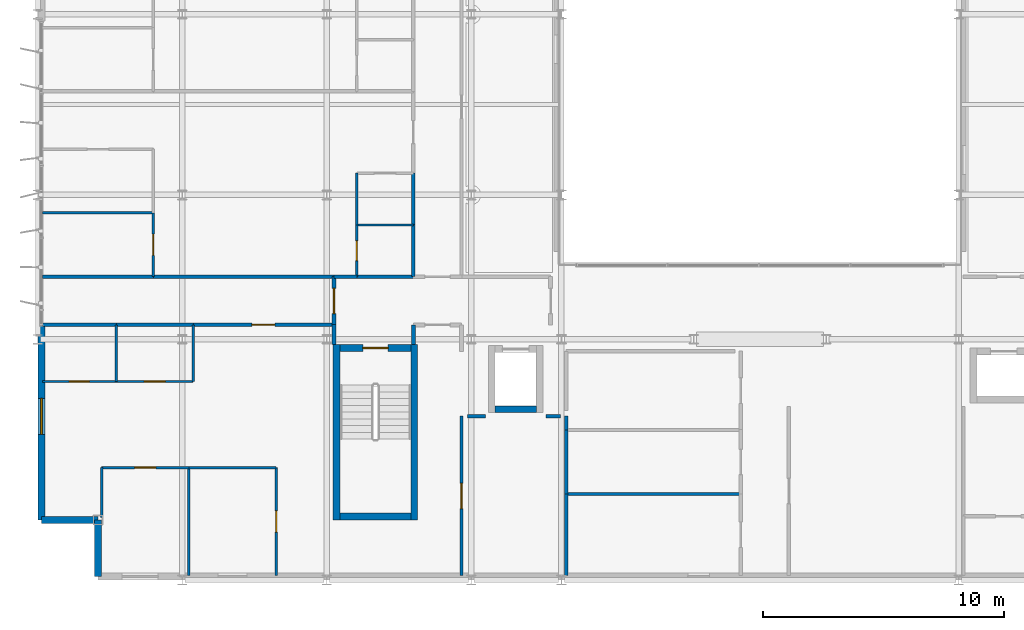
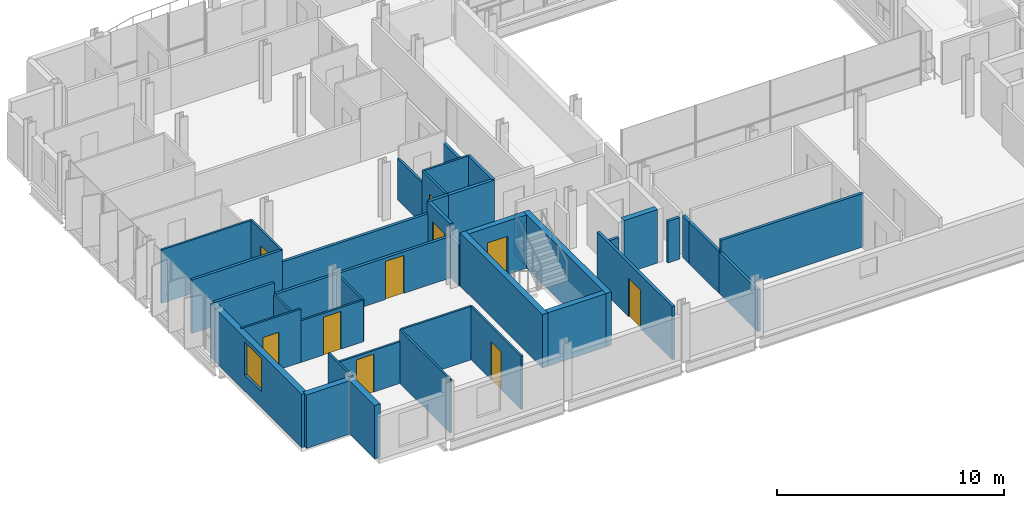
# One storey, part 29 of 38: 41 walls, 10 doors, 1 window, 11 openings.
"""IFC4 building model written with IfcOpenShell, lengths in metres."""

import ifcopenshell
import ifcopenshell.guid

model = None  # the IFC model being written
_history = None  # IfcOwnerHistory: only IFC2X3 demands one
_inside = {}  # id of a spatial element -> (the spatial element, [elements in it])
_under = {}  # id of a project, library or spatial element -> (it, [spatial elements below it])
_declared = {}  # id of a project -> (the project, [libraries it declares])
_typed = {}  # id of a type object -> (the type object, [elements of that type])
_made_of = {}  # id of a material, layer set ... -> (it, [elements and type objects made of it])


def new_model(schema):
    """Start an empty IFC model of exactly this schema.

    Asked for "IFC4X3", IfcOpenShell would pick the latest addendum, in which some entities
    have other attributes; the version numbers below select the first issue.
    IFC2X3 requires an IfcOwnerHistory on every rooted entity: one is made here for all.
    """
    global model, _history
    if schema == "IFC4X3":
        model = ifcopenshell.file(schema_version=(4, 3, 0, 0))
    else:
        model = ifcopenshell.file(schema=schema)
    _inside.clear()
    _under.clear()
    _declared.clear()
    _typed.clear()
    _made_of.clear()
    _history = None
    if model.schema == "IFC2X3":
        org = make("IfcOrganization", Name="unknown")
        user = make(
            "IfcPersonAndOrganization",
            ThePerson=make("IfcPerson", FamilyName="unknown"),
            TheOrganization=org,
        )
        app = make(
            "IfcApplication",
            ApplicationDeveloper=org,
            Version="unknown",
            ApplicationFullName="unknown",
            ApplicationIdentifier="unknown",
        )
        _history = make(
            "IfcOwnerHistory",
            OwningUser=user,
            OwningApplication=app,
            ChangeAction="ADDED",
            CreationDate=0,
        )
    return model


def make(cls, **values):
    """One entity of the class cls with the attributes given. An attribute that is None is left unset."""
    return model.create_entity(
        cls, **{name: value for name, value in values.items() if value is not None}
    )


def rooted(cls, **values):
    """An entity with a GlobalId (a new one), such as an element, a storey or a relation."""
    return make(cls, GlobalId=ifcopenshell.guid.new(), OwnerHistory=_history, **values)


def si_unit(unit_type, name, prefix=None):
    """IfcSIUnit, for example si_unit("LENGTHUNIT", "METRE", prefix="MILLI")."""
    return make("IfcSIUnit", UnitType=unit_type, Prefix=prefix, Name=name)


def assignment(units):
    """IfcUnitAssignment: the units of a project."""
    return None if units is None else make("IfcUnitAssignment", Units=units)


def point(xyz):
    """IfcCartesianPoint."""
    return None if xyz is None else make("IfcCartesianPoint", Coordinates=xyz)


def direction(xyz):
    """IfcDirection."""
    return None if xyz is None else make("IfcDirection", DirectionRatios=xyz)


def frame(location, z_axis=None, x_axis=None):
    """IfcAxis2Placement3D, a coordinate frame: its origin and axes. An axis left out is left unset."""
    return make(
        "IfcAxis2Placement3D",
        Location=point(location),
        Axis=direction(z_axis),
        RefDirection=direction(x_axis),
    )


def frame_2d(location, x_axis=None):
    """IfcAxis2Placement2D, a coordinate frame in the plane: its origin and x axis."""
    return make(
        "IfcAxis2Placement2D", Location=point(location), RefDirection=direction(x_axis)
    )


def origin():
    """The frame at (0, 0, 0) with its axes left unset."""
    return frame((0.0, 0.0, 0.0))


def place(relative_to, where):
    """IfcLocalPlacement: puts the frame where relative to a parent placement (None: the world)."""
    return make(
        "IfcLocalPlacement", PlacementRelTo=relative_to, RelativePlacement=where
    )


def context(
    kind, dimensions, precision=None, world=None, true_north=None, identifier=None
):
    """IfcGeometricRepresentationContext, for example the 3D "Model" context."""
    return make(
        "IfcGeometricRepresentationContext",
        ContextIdentifier=identifier,
        ContextType=kind,
        CoordinateSpaceDimension=dimensions,
        Precision=precision,
        WorldCoordinateSystem=world,
        TrueNorth=true_north,
    )


def subcontext(parent, identifier, kind, view, scale=None):
    """IfcGeometricRepresentationSubContext, for example "Body" below "Model"."""
    return make(
        "IfcGeometricRepresentationSubContext",
        ContextIdentifier=identifier,
        ContextType=kind,
        ParentContext=parent,
        TargetScale=scale,
        TargetView=view,
    )


def project(units=None, contexts=None):
    """IfcProject with its units and contexts."""
    return rooted(
        "IfcProject",
        Name="project",
        RepresentationContexts=contexts,
        UnitsInContext=assignment(units),
    )


def spatial(cls, under=None, at=None, **own):
    """A site, building, storey or space (cls), placed at a placement, below another one or the project."""
    s = rooted(cls, ObjectPlacement=at, **own)
    if under is not None:
        _under.setdefault(under.id(), (under, []))[1].append(s)
    return s


def profile(cls, at=None, kind="AREA", **sizes):
    """A parametric profile (cls). Its sizes go by their IFC names, for example OverallWidth=200.0."""
    return make(cls, ProfileType=kind, Position=at, **sizes)


def rectangle(**sizes):
    """IfcRectangleProfileDef."""
    return profile("IfcRectangleProfileDef", **sizes)


def extrude(swept, where, along, depth):
    """IfcExtrudedAreaSolid: the profile swept, set in the frame where, extruded along a direction by depth."""
    return make(
        "IfcExtrudedAreaSolid",
        SweptArea=swept,
        Position=where,
        ExtrudedDirection=direction(along),
        Depth=depth,
    )


def shape(context_of_items, identifier, shape_type, items):
    """IfcShapeRepresentation: the items that make up one representation, for example the "Body"."""
    return make(
        "IfcShapeRepresentation",
        ContextOfItems=context_of_items,
        RepresentationIdentifier=identifier,
        RepresentationType=shape_type,
        Items=items,
    )


def material(Name=None, Category=None):
    """IfcMaterial."""
    return make("IfcMaterial", Name=Name, Category=Category)


def layer(
    of_material, thickness, ventilated=None, Name=None, Category=None, Priority=None
):
    """IfcMaterialLayer: one layer of a wall or slab, of a material (None: an air gap)."""
    return make(
        "IfcMaterialLayer",
        Material=of_material,
        LayerThickness=thickness,
        IsVentilated=ventilated,
        Name=Name,
        Category=Category,
        Priority=Priority,
    )


def layer_set(layers, Name=None):
    """IfcMaterialLayerSet."""
    return make("IfcMaterialLayerSet", MaterialLayers=layers, LayerSetName=Name)


def made_of(thing, what):
    """Note that an element or type object is made of a material, layer set ...; save() writes the relation."""
    if what is not None:
        _made_of.setdefault(what.id(), (what, []))[1].append(thing)
    return thing


def type_object(cls, material=None, **own):
    """A type object (cls), such as IfcWallType, which elements share."""
    return made_of(rooted(cls, **own), material)


def element(
    cls,
    number,
    at=None,
    inside=None,
    cuts=None,
    type_object=None,
    material=None,
    context=None,
    identifier="Body",
    shape_type=None,
    held_by="IfcProductDefinitionShape",
    body=None,
    shapes=None,
    **own,
):
    """One element of the class cls, such as IfcWall. Its Tag is "e" and its number.

    at: its placement. inside: the storey or other place that contains it. cuts: it is an
    opening in that element (IfcRelVoidsElement). A single representation is given by context,
    identifier, shape_type and body (its items); several are given by shapes. held_by: the class
    of the entity that holds the representations. save() writes the other relations.
    """
    e = rooted(cls, Tag="e%d" % number, ObjectPlacement=at, **own)
    if body is not None:
        shapes = [shape(context, identifier, shape_type, body)]
    if shapes is not None:
        e.Representation = make(held_by, Representations=shapes)
    if inside is not None:
        _inside.setdefault(inside.id(), (inside, []))[1].append(e)
    if cuts is not None:
        rooted(
            "IfcRelVoidsElement", RelatingBuildingElement=cuts, RelatedOpeningElement=e
        )
    if type_object is not None:
        _typed.setdefault(type_object.id(), (type_object, []))[1].append(e)
    return made_of(e, material)


def fill(opening, filler):
    """IfcRelFillsElement: the door or window that sits in an opening."""
    return rooted(
        "IfcRelFillsElement",
        RelatingOpeningElement=opening,
        RelatedBuildingElement=filler,
    )


def aggregate(whole, parts):
    """IfcRelAggregates: a whole, such as a stair, and the parts it consists of."""
    return rooted("IfcRelAggregates", RelatingObject=whole, RelatedObjects=parts)


def save(model, path):
    """Write the relations noted so far, then the file.

    IfcRelAggregates (storeys below a building ...), IfcRelContainedInSpatialStructure (elements
    in a storey), IfcRelDefinesByType, IfcRelAssociatesMaterial and IfcRelDeclares: one each for
    every whole, place, type object, material and project.
    """
    for whole, parts in _under.values():
        aggregate(whole, parts)
    for where, things in _inside.values():
        rooted(
            "IfcRelContainedInSpatialStructure",
            RelatedElements=things,
            RelatingStructure=where,
        )
    for kind, things in _typed.values():
        rooted("IfcRelDefinesByType", RelatedObjects=things, RelatingType=kind)
    for what, things in _made_of.values():
        rooted("IfcRelAssociatesMaterial", RelatedObjects=things, RelatingMaterial=what)
    for by, libraries in _declared.values():
        rooted("IfcRelDeclares", RelatingContext=by, RelatedDefinitions=libraries)
    model.write(path)


model = new_model("IFC4")

# Units and contexts
model_context = context("Model", 3, precision=1e-05, world=origin(), true_north=direction((0.0, 1.0)))
body_context = subcontext(model_context, "Body", "Model", "MODEL_VIEW")
ifc_project = project(units=[si_unit("LENGTHUNIT", "METRE"), si_unit("AREAUNIT", "SQUARE_METRE"), si_unit("VOLUMEUNIT", "CUBIC_METRE"), si_unit("PLANEANGLEUNIT", "RADIAN"), si_unit("MASSUNIT", "GRAM", prefix="KILO")], contexts=[model_context])

# Site, building, storey
site_placement = place(None, origin())
site = spatial("IfcSite", under=ifc_project, at=site_placement, CompositionType="ELEMENT")
building_placement = place(site_placement, origin())
building = spatial("IfcBuilding", under=site, at=building_placement, Name="Brevholm Reach", CompositionType="ELEMENT")
storey_placement = place(building_placement, frame((0.0, 0.0, 141.800048828125)))
storey = spatial("IfcBuildingStorey", under=building, at=storey_placement, Name="L42", CompositionType="ELEMENT", Elevation=141.800048828125)

# Walls
ifc_material_1 = material(Name="Concrete C50/60", Category="concrete")
ifc_layer_1 = layer(ifc_material_1, 0.280029296875)
ifc_layer_set_1 = layer_set([ifc_layer_1], Name="Concrete C50/60")
wall_type_1 = type_object("IfcWallType", Name="WAL-COR-280", PredefinedType="SHEAR", material=ifc_layer_set_1)
for number, where, z_axis, x_axis, name in (
    (1, (12.409912109375, 2.5, 0.0), (0.0, 0.0, 1.0), (0.0, 1.0, 0.0), "L42 Escape Stair ST-1 Core Wall W"),
    (2, (15.639892578125, 2.5, 0.0), (0.0, 0.0, 1.0), (0.0, 1.0, 0.0), "L42 Escape Stair ST-1 Core Wall E"),
):
    element("IfcWall", number, at=place(storey_placement, frame(where, z_axis=z_axis, x_axis=x_axis)), inside=storey, type_object=wall_type_1, Name=name, PredefinedType="SHEAR", context=body_context, shape_type="SweptSolid", body=[
        extrude(rectangle(XDim=7.280029296875, YDim=0.280029296875, at=frame_2d((3.64013671875, 0.0))), origin(), (0.0, 0.0, 1.0), 2.8798828125),
    ])
wall_1_placement = place(storey_placement, frame((12.550048828125, 2.639892578125, 0.0), z_axis=(0.0, 0.0, 1.0), x_axis=(1.0, 0.0, 0.0)))
element("IfcWall", 3, at=wall_1_placement, inside=storey, type_object=wall_type_1, Name="L42 Escape Stair ST-1 Core Wall S", PredefinedType="SHEAR", context=body_context, shape_type="SweptSolid", body=[
    extrude(rectangle(XDim=2.949951171875, YDim=0.280029296875, at=frame_2d((1.47509765625, 0.0))), origin(), (0.0, 0.0, 1.0), 2.8798828125),
])

# Wall, opening, door
wall_2_placement = place(storey_placement, frame((15.5, 9.639892578125, 0.0), z_axis=(0.0, 0.0, 1.0), x_axis=(-1.0, 0.0, 0.0)))
wall_2 = element("IfcWall", 4, at=wall_2_placement, inside=storey, type_object=wall_type_1, Name="L42 Escape Stair ST-1 Core Wall N", PredefinedType="SHEAR", context=body_context, shape_type="SweptSolid", body=[
    extrude(rectangle(XDim=2.949951171875, YDim=0.280029296875, at=frame_2d((1.47509765625, 0.0))), origin(), (0.0, 0.0, 1.0), 2.8798828125),
])
opening_1_placement = place(wall_2_placement, frame((0.949951171875, 0.0, 0.0)))
opening_1 = element("IfcOpeningElement", 5, at=opening_1_placement, cuts=wall_2, Name="Opening SD-ST-1", PredefinedType="OPENING", context=body_context, shape_type="SweptSolid", body=[
    extrude(rectangle(XDim=1.050048828125, YDim=2.06005859375, at=frame_2d((0.52490234375, 1.030029296875))), frame((0.0, 0.14990234375, 0.0), z_axis=(0.0, -1.0, 0.0), x_axis=(1.0, 0.0, 0.0)), (0.0, 0.0, 1.0), 0.300048828125),
])
ifc_material_2 = material(Name="Hardwood-Lipped Steel-Core Fire and Smoke Door", Category="steel")
door_type_1 = type_object("IfcDoorType", Name="DOR-INT-FD60S", OperationType="NOTDEFINED", PredefinedType="DOOR", material=ifc_material_2)
door_1_placement = place(opening_1_placement, origin())
door_1 = element("IfcDoor", 6, at=door_1_placement, inside=storey, type_object=door_type_1, Name="L42 Protected Stair ST-1 Lobby Door", OperationType="SINGLE_SWING_RIGHT", OverallHeight=2.06005859375, OverallWidth=1.050048828125, PredefinedType="DOOR", context=body_context, shape_type="SweptSolid", body=[
    extrude(rectangle(XDim=1.050048828125, YDim=2.06005859375, at=frame_2d((0.52490234375, 1.030029296875))), frame((0.0, 0.02490234375, 0.0), z_axis=(0.0, -1.0, 0.0), x_axis=(1.0, 0.0, 0.0)), (0.0, 0.0, 1.0), 0.050048828125),
])
fill(opening_1, door_1)

# Walls
wall_3_placement = place(storey_placement, frame((18.989990234375, 7.10009765625, 0.0), z_axis=(0.0, 0.0, 1.0), x_axis=(1.0, 0.0, 0.0)))
element("IfcWall", 7, at=wall_3_placement, inside=storey, type_object=wall_type_1, Name="L42 Lift FFL-1 Shaft Wall S", PredefinedType="SHEAR", context=body_context, shape_type="SweptSolid", body=[
    extrude(rectangle(XDim=1.719970703125, YDim=0.280029296875, at=frame_2d((0.85986328125, 0.0))), origin(), (0.0, 0.0, 1.0), 2.8798828125),
])
ifc_material_3 = material(Name="Concrete C40/50", Category="concrete")
ifc_layer_2 = layer(ifc_material_3, 0.300048828125)
ifc_layer_set_2 = layer_set([ifc_layer_2], Name="Concrete C40/50")
wall_type_2 = type_object("IfcWallType", Name="WAL-EXT-300", PredefinedType="STANDARD", material=ifc_layer_set_2)
for number, where, z_axis, x_axis, name in (
    (8, (2.5, 2.5, 0.0), (0.0, 0.0, 1.0), (0.0, -1.0, 0.0), "L42 Facade Wall WAL-L42-CSW1"),
    (9, (0.14990234375, 2.5, 0.0), (0.0, 0.0, 1.0), (1.0, 0.0, 0.0), "L42 Facade Wall WAL-L42-CSW2"),
):
    element("IfcWall", number, at=place(storey_placement, frame(where, z_axis=z_axis, x_axis=x_axis)), inside=storey, type_object=wall_type_2, Name=name, PredefinedType="STANDARD", context=body_context, shape_type="SweptSolid", body=[
        extrude(rectangle(XDim=2.35009765625, YDim=0.300048828125, at=frame_2d((1.175048828125, 0.0))), origin(), (0.0, 0.0, 1.0), 2.8798828125),
    ])

# Wall, opening, window
wall_4_placement = place(storey_placement, frame((0.14990234375, 10.550048828125, 0.0), z_axis=(0.0, 0.0, 1.0), x_axis=(0.0, -1.0, 0.0)))
wall_4 = element("IfcWall", 10, at=wall_4_placement, inside=storey, type_object=wall_type_2, Name="L42 Facade Wall WAL-L42-W-S", PredefinedType="STANDARD", context=body_context, shape_type="SweptSolid", body=[
    extrude(rectangle(XDim=8.050048828125, YDim=0.300048828125, at=frame_2d((4.02490234375, 0.0))), origin(), (0.0, 0.0, 1.0), 2.8798828125),
])
opening_2_placement = place(wall_4_placement, frame((3.0, 0.0, 0.860107421875)))
opening_2 = element("IfcOpeningElement", 11, at=opening_2_placement, cuts=wall_4, Name="Opening WN-05", PredefinedType="OPENING", context=body_context, shape_type="SweptSolid", body=[
    extrude(rectangle(XDim=1.5, YDim=1.800048828125, at=frame_2d((0.75, 0.89990234375))), frame((0.0, 0.159912109375, 0.0), z_axis=(0.0, -1.0, 0.0), x_axis=(1.0, 0.0, 0.0)), (0.0, 0.0, 1.0), 0.320068359375),
])
ifc_material_4 = material(Name="Dark Anodised Aluminium and Solar-Control IGU Glass", Category="aluminium")
window_type = type_object("IfcWindowType", Name="WIN-RES-1500", PartitioningType="SINGLE_PANEL", PredefinedType="WINDOW", material=ifc_material_4)
window_placement = place(opening_2_placement, origin())
window = element("IfcWindow", 12, at=window_placement, inside=storey, type_object=window_type, Name="L42 Window WIN-L42-WS-1", OverallHeight=1.800048828125, OverallWidth=1.5, PartitioningType="SINGLE_PANEL", PredefinedType="WINDOW", context=body_context, shape_type="SweptSolid", body=[
    extrude(rectangle(XDim=1.5, YDim=1.800048828125, at=frame_2d((0.75, 0.89990234375))), frame((0.0, 0.030029296875, 0.0), z_axis=(0.0, -1.0, 0.0), x_axis=(1.0, 0.0, 0.0)), (0.0, 0.0, 1.0), 0.06005859375),
])
fill(opening_2, window)

# Wall
ifc_material_5 = material(Name="Moisture-Resistant Acoustic Gypsum Stud Partition 100 mm", Category="gypsum")
ifc_layer_3 = layer(ifc_material_5, 0.10009765625)
ifc_layer_set_3 = layer_set([ifc_layer_3], Name="Moisture-Resistant Acoustic Gypsum Stud Partition 100 mm")
wall_type_3 = type_object("IfcWallType", Name="WAL-PRT-100", PredefinedType="PARTITIONING", material=ifc_layer_set_3)
wall_5_placement = place(storey_placement, frame((3.25, 8.25, 0.0), z_axis=(0.0, 0.0, 1.0), x_axis=(0.0, 1.0, 0.0)))
element("IfcWall", 13, at=wall_5_placement, inside=storey, type_object=wall_type_3, Name="L42 Internal Partition 060", PredefinedType="PARTITIONING", context=body_context, shape_type="SweptSolid", body=[
    extrude(rectangle(XDim=2.345947265625, YDim=0.10009765625, at=frame_2d((1.1728515625, 0.0))), origin(), (0.0, 0.0, 1.0), 2.24267578125),
])

# Wall, opening, door
wall_6_placement = place(storey_placement, frame((0.199951171875, 8.25, 0.0), z_axis=(0.0, 0.0, 1.0), x_axis=(1.0, 0.0, 0.0)))
wall_6 = element("IfcWall", 14, at=wall_6_placement, inside=storey, type_object=wall_type_3, Name="L42 Internal Partition 061", PredefinedType="PARTITIONING", context=body_context, shape_type="SweptSolid", body=[
    extrude(rectangle(XDim=3.050048828125, YDim=0.10009765625, at=frame_2d((1.52490234375, 0.0))), origin(), (0.0, 0.0, 1.0), 2.8798828125),
])
opening_3_placement = place(wall_6_placement, frame((1.114990234375, 0.0, 0.0)))
opening_3 = element("IfcOpeningElement", 15, at=opening_3_placement, cuts=wall_6, Name="Opening ID-03", PredefinedType="OPENING", context=body_context, shape_type="SweptSolid", body=[
    extrude(rectangle(XDim=0.820068359375, YDim=2.02001953125, at=frame_2d((0.41015625, 1.010009765625))), frame((0.0, 0.06005859375, 0.0), z_axis=(0.0, -1.0, 0.0), x_axis=(1.0, 0.0, 0.0)), (0.0, 0.0, 1.0), 0.1201171875),
])
ifc_material_6 = material(Name="Moisture-Resistant Painted Timber Internal Bathroom Door", Category="wood")
door_type_2 = type_object("IfcDoorType", Name="DOR-BATH-820", OperationType="NOTDEFINED", PredefinedType="DOOR", material=ifc_material_6)
door_2_placement = place(opening_3_placement, origin())
door_2 = element("IfcDoor", 16, at=door_2_placement, inside=storey, type_object=door_type_2, Name="L42 Internal Door 027", OperationType="SINGLE_SWING_LEFT", OverallHeight=2.02001953125, OverallWidth=0.820068359375, PredefinedType="DOOR", context=body_context, shape_type="SweptSolid", body=[
    extrude(rectangle(XDim=0.820068359375, YDim=2.02001953125, at=frame_2d((0.41015625, 1.010009765625))), frame((0.0, 0.02490234375, 0.0), z_axis=(0.0, -1.0, 0.0), x_axis=(1.0, 0.0, 0.0)), (0.0, 0.0, 1.0), 0.050048828125),
])
fill(opening_3, door_2)

wall_7_placement = place(storey_placement, frame((3.25390625, 8.25, 0.0), z_axis=(0.0, 0.0, 1.0), x_axis=(1.0, 0.0, 0.0)))
wall_7 = element("IfcWall", 17, at=wall_7_placement, inside=storey, type_object=wall_type_3, Name="L42 Internal Partition 062", PredefinedType="PARTITIONING", context=body_context, shape_type="SweptSolid", body=[
    extrude(rectangle(XDim=3.196044921875, YDim=0.10009765625, at=frame_2d((1.59814453125, 0.0))), origin(), (0.0, 0.0, 1.0), 2.24267578125),
])
opening_4_placement = place(wall_7_placement, frame((1.157958984375, 0.0, 0.0)))
opening_4 = element("IfcOpeningElement", 18, at=opening_4_placement, cuts=wall_7, Name="Opening ID-01", PredefinedType="OPENING", context=body_context, shape_type="SweptSolid", body=[
    extrude(rectangle(XDim=0.8798828125, YDim=2.0400390625, at=frame_2d((0.43994140625, 1.02001953125))), frame((0.0, 0.06005859375, 0.0), z_axis=(0.0, -1.0, 0.0), x_axis=(1.0, 0.0, 0.0)), (0.0, 0.0, 1.0), 0.1201171875),
])
ifc_material_7 = material(Name="Lacquered Ash Solid-Core Acoustic Internal Door", Category="timber")
door_type_3 = type_object("IfcDoorType", Name="DOR-INT-880", OperationType="NOTDEFINED", PredefinedType="DOOR", material=ifc_material_7)
door_3_placement = place(opening_4_placement, origin())
door_3 = element("IfcDoor", 19, at=door_3_placement, inside=storey, type_object=door_type_3, Name="L42 Internal Door 028", OperationType="SINGLE_SWING_RIGHT", OverallHeight=2.0400390625, OverallWidth=0.8798828125, PredefinedType="DOOR", context=body_context, shape_type="SweptSolid", body=[
    extrude(rectangle(XDim=0.8798828125, YDim=2.0400390625, at=frame_2d((0.43994140625, 1.02001953125))), frame((0.0, 0.02490234375, 0.0), z_axis=(0.0, -1.0, 0.0), x_axis=(1.0, 0.0, 0.0)), (0.0, 0.0, 1.0), 0.050048828125),
])
fill(opening_4, door_3)

# Walls
wall_8_placement = place(storey_placement, frame((6.449951171875, 8.25, 0.0), z_axis=(0.0, 0.0, 1.0), x_axis=(0.0, 1.0, 0.0)))
element("IfcWall", 20, at=wall_8_placement, inside=storey, type_object=wall_type_3, Name="L42 Internal Partition 063", PredefinedType="PARTITIONING", context=body_context, shape_type="SweptSolid", body=[
    extrude(rectangle(XDim=2.345947265625, YDim=0.10009765625, at=frame_2d((1.1728515625, 0.0))), origin(), (0.0, 0.0, 1.0), 2.24267578125),
])
wall_9_placement = place(storey_placement, frame((6.27490234375, 0.199951171875, 0.0), z_axis=(0.0, 0.0, 1.0), x_axis=(0.0, 1.0, 0.0)))
element("IfcWall", 21, at=wall_9_placement, inside=storey, type_object=wall_type_3, Name="L42 Internal Partition 064", PredefinedType="PARTITIONING", context=body_context, shape_type="SweptSolid", body=[
    extrude(rectangle(XDim=4.47216796875, YDim=0.10009765625, at=frame_2d((2.236083984375, 0.0))), origin(), (0.0, 0.0, 1.0), 2.8798828125),
])
wall_10_placement = place(storey_placement, frame((2.64990234375, 2.599365234375, 0.0), z_axis=(0.0, 0.0, 1.0), x_axis=(0.0, 1.0, 0.0)))
element("IfcWall", 22, at=wall_10_placement, inside=storey, type_object=wall_type_3, Name="L42 Internal Partition 065", PredefinedType="PARTITIONING", context=body_context, shape_type="SweptSolid", body=[
    extrude(rectangle(XDim=2.07275390625, YDim=0.10009765625, at=frame_2d((1.036376953125, 0.0))), origin(), (0.0, 0.0, 1.0), 2.8798828125),
])

# Wall, opening, door
wall_11_placement = place(storey_placement, frame((2.64990234375, 4.672119140625, 0.0), z_axis=(0.0, 0.0, 1.0), x_axis=(1.0, 0.0, 0.0)))
wall_11 = element("IfcWall", 23, at=wall_11_placement, inside=storey, type_object=wall_type_3, Name="L42 Internal Partition 066", PredefinedType="PARTITIONING", context=body_context, shape_type="SweptSolid", body=[
    extrude(rectangle(XDim=3.625, YDim=0.10009765625, at=frame_2d((1.8125, 0.0))), origin(), (0.0, 0.0, 1.0), 2.24267578125),
])
opening_5_placement = place(wall_11_placement, frame((1.37255859375, 0.0, 0.0)))
opening_5 = element("IfcOpeningElement", 24, at=opening_5_placement, cuts=wall_11, Name="Opening ID-01", PredefinedType="OPENING", context=body_context, shape_type="SweptSolid", body=[
    extrude(rectangle(XDim=0.8798828125, YDim=2.0400390625, at=frame_2d((0.43994140625, 1.02001953125))), frame((0.0, 0.06005859375, 0.0), z_axis=(0.0, -1.0, 0.0), x_axis=(1.0, 0.0, 0.0)), (0.0, 0.0, 1.0), 0.1201171875),
])
door_4_placement = place(opening_5_placement, origin())
door_4 = element("IfcDoor", 25, at=door_4_placement, inside=storey, type_object=door_type_3, Name="L42 Internal Door 029", OperationType="SINGLE_SWING_LEFT", OverallHeight=2.0400390625, OverallWidth=0.8798828125, PredefinedType="DOOR", context=body_context, shape_type="SweptSolid", body=[
    extrude(rectangle(XDim=0.8798828125, YDim=2.0400390625, at=frame_2d((0.43994140625, 1.02001953125))), frame((0.0, 0.02490234375, 0.0), z_axis=(0.0, -1.0, 0.0), x_axis=(1.0, 0.0, 0.0)), (0.0, 0.0, 1.0), 0.050048828125),
])
fill(opening_5, door_4)

wall_12_placement = place(storey_placement, frame((9.89990234375, 0.199951171875, 0.0), z_axis=(0.0, 0.0, 1.0), x_axis=(0.0, 1.0, 0.0)))
wall_12 = element("IfcWall", 26, at=wall_12_placement, inside=storey, type_object=wall_type_3, Name="L42 Internal Partition 067", PredefinedType="PARTITIONING", context=body_context, shape_type="SweptSolid", body=[
    extrude(rectangle(XDim=4.47216796875, YDim=0.10009765625, at=frame_2d((2.236083984375, 0.0))), origin(), (0.0, 0.0, 1.0), 2.8798828125),
])
opening_6_placement = place(wall_12_placement, frame((1.7958984375, 0.0, 0.0)))
opening_6 = element("IfcOpeningElement", 27, at=opening_6_placement, cuts=wall_12, Name="Opening ID-01", PredefinedType="OPENING", context=body_context, shape_type="SweptSolid", body=[
    extrude(rectangle(XDim=0.8798828125, YDim=2.0400390625, at=frame_2d((0.43994140625, 1.02001953125))), frame((0.0, 0.06005859375, 0.0), z_axis=(0.0, -1.0, 0.0), x_axis=(1.0, 0.0, 0.0)), (0.0, 0.0, 1.0), 0.1201171875),
])
door_5_placement = place(opening_6_placement, origin())
door_5 = element("IfcDoor", 28, at=door_5_placement, inside=storey, type_object=door_type_3, Name="L42 Internal Door 030", OperationType="SINGLE_SWING_RIGHT", OverallHeight=2.0400390625, OverallWidth=0.8798828125, PredefinedType="DOOR", context=body_context, shape_type="SweptSolid", body=[
    extrude(rectangle(XDim=0.8798828125, YDim=2.0400390625, at=frame_2d((0.43994140625, 1.02001953125))), frame((0.0, 0.02490234375, 0.0), z_axis=(0.0, -1.0, 0.0), x_axis=(1.0, 0.0, 0.0)), (0.0, 0.0, 1.0), 0.050048828125),
])
fill(opening_6, door_5)

# Walls
wall_13_placement = place(storey_placement, frame((6.279052734375, 4.672119140625, 0.0), z_axis=(0.0, 0.0, 1.0), x_axis=(1.0, 0.0, 0.0)))
element("IfcWall", 29, at=wall_13_placement, inside=storey, type_object=wall_type_3, Name="L42 Internal Partition 068", PredefinedType="PARTITIONING", context=body_context, shape_type="SweptSolid", body=[
    extrude(rectangle(XDim=3.620849609375, YDim=0.10009765625, at=frame_2d((1.810546875, 0.0))), origin(), (0.0, 0.0, 1.0), 2.8798828125),
])
wall_14_placement = place(storey_placement, frame((13.25, 14.75, 0.0), z_axis=(0.0, 0.0, 1.0), x_axis=(1.0, 0.0, 0.0)))
element("IfcWall", 30, at=wall_14_placement, inside=storey, type_object=wall_type_3, Name="L42 Internal Partition 069", PredefinedType="PARTITIONING", context=body_context, shape_type="SweptSolid", body=[
    extrude(rectangle(XDim=2.345947265625, YDim=0.10009765625, at=frame_2d((1.1728515625, 0.0))), origin(), (0.0, 0.0, 1.0), 2.8798828125),
])

# Wall, opening, door
wall_15_placement = place(storey_placement, frame((13.25, 12.60400390625, 0.0), z_axis=(0.0, 0.0, 1.0), x_axis=(0.0, 1.0, 0.0)))
wall_15 = element("IfcWall", 31, at=wall_15_placement, inside=storey, type_object=wall_type_3, Name="L42 Internal Partition 070", PredefinedType="PARTITIONING", context=body_context, shape_type="SweptSolid", body=[
    extrude(rectangle(XDim=2.14599609375, YDim=0.10009765625, at=frame_2d((1.072998046875, 0.0))), origin(), (0.0, 0.0, 1.0), 2.8798828125),
])
opening_7_placement = place(wall_15_placement, frame((0.6630859375, 0.0, 0.0)))
opening_7 = element("IfcOpeningElement", 32, at=opening_7_placement, cuts=wall_15, Name="Opening ID-03", PredefinedType="OPENING", context=body_context, shape_type="SweptSolid", body=[
    extrude(rectangle(XDim=0.820068359375, YDim=2.02001953125, at=frame_2d((0.41015625, 1.010009765625))), frame((0.0, 0.06005859375, 0.0), z_axis=(0.0, -1.0, 0.0), x_axis=(1.0, 0.0, 0.0)), (0.0, 0.0, 1.0), 0.1201171875),
])
door_6_placement = place(opening_7_placement, origin())
door_6 = element("IfcDoor", 33, at=door_6_placement, inside=storey, type_object=door_type_2, Name="L42 Internal Door 031", OperationType="SINGLE_SWING_LEFT", OverallHeight=2.02001953125, OverallWidth=0.820068359375, PredefinedType="DOOR", context=body_context, shape_type="SweptSolid", body=[
    extrude(rectangle(XDim=0.820068359375, YDim=2.02001953125, at=frame_2d((0.41015625, 1.010009765625))), frame((0.0, 0.02490234375, 0.0), z_axis=(0.0, -1.0, 0.0), x_axis=(1.0, 0.0, 0.0)), (0.0, 0.0, 1.0), 0.050048828125),
])
fill(opening_7, door_6)

# Walls
wall_16_placement = place(storey_placement, frame((13.25, 14.75390625, 0.0), z_axis=(0.0, 0.0, 1.0), x_axis=(0.0, 1.0, 0.0)))
element("IfcWall", 34, at=wall_16_placement, inside=storey, type_object=wall_type_3, Name="L42 Internal Partition 072", PredefinedType="PARTITIONING", context=body_context, shape_type="SweptSolid", body=[
    extrude(rectangle(XDim=2.152099609375, YDim=0.10009765625, at=frame_2d((1.076171875, 0.0))), origin(), (0.0, 0.0, 1.0), 2.24267578125),
])
wall_17_placement = place(storey_placement, frame((0.199951171875, 15.25, 0.0), z_axis=(0.0, 0.0, 1.0), x_axis=(1.0, 0.0, 0.0)))
element("IfcWall", 35, at=wall_17_placement, inside=storey, type_object=wall_type_3, Name="L42 Internal Partition 073", PredefinedType="PARTITIONING", context=body_context, shape_type="SweptSolid", body=[
    extrude(rectangle(XDim=4.60009765625, YDim=0.10009765625, at=frame_2d((2.300048828125, 0.0))), origin(), (0.0, 0.0, 1.0), 2.8798828125),
])

# Wall, opening, door
wall_18_placement = place(storey_placement, frame((4.800048828125, 12.60400390625, 0.0), z_axis=(0.0, 0.0, 1.0), x_axis=(0.0, 1.0, 0.0)))
wall_18 = element("IfcWall", 36, at=wall_18_placement, inside=storey, type_object=wall_type_3, Name="L42 Internal Partition 074", PredefinedType="PARTITIONING", context=body_context, shape_type="SweptSolid", body=[
    extrude(rectangle(XDim=2.64599609375, YDim=0.10009765625, at=frame_2d((1.322998046875, 0.0))), origin(), (0.0, 0.0, 1.0), 2.8798828125),
])
opening_8_placement = place(wall_18_placement, frame((0.883056640625, 0.0, 0.0)))
opening_8 = element("IfcOpeningElement", 37, at=opening_8_placement, cuts=wall_18, Name="Opening ID-01", PredefinedType="OPENING", context=body_context, shape_type="SweptSolid", body=[
    extrude(rectangle(XDim=0.8798828125, YDim=2.0400390625, at=frame_2d((0.43994140625, 1.02001953125))), frame((0.0, 0.06005859375, 0.0), z_axis=(0.0, -1.0, 0.0), x_axis=(1.0, 0.0, 0.0)), (0.0, 0.0, 1.0), 0.1201171875),
])
door_7_placement = place(opening_8_placement, origin())
door_7 = element("IfcDoor", 38, at=door_7_placement, inside=storey, type_object=door_type_3, Name="L42 Internal Door 033", OperationType="SINGLE_SWING_LEFT", OverallHeight=2.0400390625, OverallWidth=0.8798828125, PredefinedType="DOOR", context=body_context, shape_type="SweptSolid", body=[
    extrude(rectangle(XDim=0.8798828125, YDim=2.0400390625, at=frame_2d((0.43994140625, 1.02001953125))), frame((0.0, 0.02490234375, 0.0), z_axis=(0.0, -1.0, 0.0), x_axis=(1.0, 0.0, 0.0)), (0.0, 0.0, 1.0), 0.050048828125),
])
fill(opening_8, door_7)

# Walls
ifc_material_8 = material(Name="Twin-Stud Acoustic Fire-Rated Gypsum Partition 140 mm", Category="gypsum")
ifc_layer_4 = layer(ifc_material_8, 0.139892578125)
ifc_layer_set_4 = layer_set([ifc_layer_4], Name="Twin-Stud Acoustic Fire-Rated Gypsum Partition 140 mm")
wall_type_4 = type_object("IfcWallType", Name="WAL-PRT-140", PredefinedType="PARTITIONING", material=ifc_layer_set_4)
wall_19_placement = place(storey_placement, frame((21.949951171875, 3.575927734375, 0.0), z_axis=(0.0, 0.0, 1.0), x_axis=(1.0, 0.0, 0.0)))
element("IfcWall", 39, at=wall_19_placement, inside=storey, type_object=wall_type_4, Name="L42 Internal Partition 005", PredefinedType="PARTITIONING", context=body_context, shape_type="SweptSolid", body=[
    extrude(rectangle(XDim=7.24609375, YDim=0.139892578125, at=frame_2d((3.623046875, 0.0))), origin(), (0.0, 0.0, 1.0), 2.8798828125),
])
wall_20_placement = place(storey_placement, frame((21.949951171875, 0.179931640625, 0.0), z_axis=(0.0, 0.0, 1.0), x_axis=(0.0, 1.0, 0.0)))
element("IfcWall", 40, at=wall_20_placement, inside=storey, type_object=wall_type_4, Name="L42 Internal Partition 006", PredefinedType="PARTITIONING", context=body_context, shape_type="SweptSolid", body=[
    extrude(rectangle(XDim=3.39599609375, YDim=0.139892578125, at=frame_2d((1.697998046875, 0.0))), origin(), (0.0, 0.0, 1.0), 2.24267578125),
])
wall_21_placement = place(storey_placement, frame((21.949951171875, 3.580078125, 0.0), z_axis=(0.0, 0.0, 1.0), x_axis=(0.0, 1.0, 0.0)))
element("IfcWall", 41, at=wall_21_placement, inside=storey, type_object=wall_type_4, Name="L42 Internal Partition 008", PredefinedType="PARTITIONING", context=body_context, shape_type="SweptSolid", body=[
    extrude(rectangle(XDim=2.655029296875, YDim=0.139892578125, at=frame_2d((1.32763671875, 0.0))), origin(), (0.0, 0.0, 1.0), 2.24267578125),
])
wall_22_placement = place(storey_placement, frame((21.949951171875, 6.239013671875, 0.0), z_axis=(0.0, 0.0, 1.0), x_axis=(0.0, 1.0, 0.0)))
element("IfcWall", 42, at=wall_22_placement, inside=storey, type_object=wall_type_4, Name="L42 Internal Partition 009", PredefinedType="PARTITIONING", context=body_context, shape_type="SweptSolid", body=[
    extrude(rectangle(XDim=0.572265625, YDim=0.139892578125, at=frame_2d((0.2861328125, 0.0))), origin(), (0.0, 0.0, 1.0), 2.24267578125),
])

# Wall, opening, door
wall_23_placement = place(storey_placement, frame((17.60009765625, 0.179931640625, 0.0), z_axis=(0.0, 0.0, 1.0), x_axis=(0.0, 1.0, 0.0)))
wall_23 = element("IfcWall", 43, at=wall_23_placement, inside=storey, type_object=wall_type_4, Name="L42 Internal Partition 015", PredefinedType="PARTITIONING", context=body_context, shape_type="SweptSolid", body=[
    extrude(rectangle(XDim=6.63134765625, YDim=0.139892578125, at=frame_2d((3.315673828125, 0.0))), origin(), (0.0, 0.0, 1.0), 2.8798828125),
])
opening_9_placement = place(wall_23_placement, frame((2.790771484375, 0.0, 0.0)))
opening_9 = element("IfcOpeningElement", 44, at=opening_9_placement, cuts=wall_23, Name="Opening FD-01", PredefinedType="OPENING", context=body_context, shape_type="SweptSolid", body=[
    extrude(rectangle(XDim=1.050048828125, YDim=2.06005859375, at=frame_2d((0.52490234375, 1.030029296875))), frame((0.0, 0.079833984375, 0.0), z_axis=(0.0, -1.0, 0.0), x_axis=(1.0, 0.0, 0.0)), (0.0, 0.0, 1.0), 0.159912109375),
])
door_8_placement = place(opening_9_placement, origin())
door_8 = element("IfcDoor", 45, at=door_8_placement, inside=storey, type_object=door_type_1, Name="L42 Internal Door 008", OperationType="SINGLE_SWING_RIGHT", OverallHeight=2.06005859375, OverallWidth=1.050048828125, PredefinedType="DOOR", context=body_context, shape_type="SweptSolid", body=[
    extrude(rectangle(XDim=1.050048828125, YDim=2.06005859375, at=frame_2d((0.52490234375, 1.030029296875))), frame((0.0, 0.02490234375, 0.0), z_axis=(0.0, -1.0, 0.0), x_axis=(1.0, 0.0, 0.0)), (0.0, 0.0, 1.0), 0.050048828125),
])
fill(opening_9, door_8)

# Walls
wall_24_placement = place(storey_placement, frame((15.60009765625, 12.60400390625, 0.0), z_axis=(0.0, 0.0, 1.0), x_axis=(0.0, 1.0, 0.0)))
element("IfcWall", 46, at=wall_24_placement, inside=storey, type_object=wall_type_4, Name="L42 Internal Partition 034", PredefinedType="PARTITIONING", context=body_context, shape_type="SweptSolid", body=[
    extrude(rectangle(XDim=2.1572265625, YDim=0.139892578125, at=frame_2d((1.07861328125, 0.0))), origin(), (0.0, 0.0, 1.0), 2.8798828125),
])
wall_25_placement = place(storey_placement, frame((15.60009765625, 14.74267578125, 0.0), z_axis=(0.0, 0.0, 1.0), x_axis=(0.0, 1.0, 0.0)))
element("IfcWall", 47, at=wall_25_placement, inside=storey, type_object=wall_type_4, Name="L42 Internal Partition 035", PredefinedType="PARTITIONING", context=body_context, shape_type="SweptSolid", body=[
    extrude(rectangle(XDim=2.174560546875, YDim=0.139892578125, at=frame_2d((1.08740234375, 0.0))), origin(), (0.0, 0.0, 1.0), 2.24267578125),
])
wall_26_placement = place(storey_placement, frame((0.199951171875, 10.60009765625, 0.0), z_axis=(0.0, 0.0, 1.0), x_axis=(1.0, 0.0, 0.0)))
element("IfcWall", 48, at=wall_26_placement, inside=storey, type_object=wall_type_4, Name="L42 Internal Partition 055", PredefinedType="PARTITIONING", context=body_context, shape_type="SweptSolid", body=[
    extrude(rectangle(XDim=3.061279296875, YDim=0.139892578125, at=frame_2d((1.53076171875, 0.0))), origin(), (0.0, 0.0, 1.0), 2.8798828125),
])
wall_27_placement = place(storey_placement, frame((3.24267578125, 10.60009765625, 0.0), z_axis=(0.0, 0.0, 1.0), x_axis=(1.0, 0.0, 0.0)))
element("IfcWall", 49, at=wall_27_placement, inside=storey, type_object=wall_type_4, Name="L42 Internal Partition 056", PredefinedType="PARTITIONING", context=body_context, shape_type="SweptSolid", body=[
    extrude(rectangle(XDim=3.218505859375, YDim=0.139892578125, at=frame_2d((1.609375, 0.0))), origin(), (0.0, 0.0, 1.0), 2.24267578125),
])

# Wall, opening, door
wall_28_placement = place(storey_placement, frame((6.442626953125, 10.60009765625, 0.0), z_axis=(0.0, 0.0, 1.0), x_axis=(1.0, 0.0, 0.0)))
wall_28 = element("IfcWall", 50, at=wall_28_placement, inside=storey, type_object=wall_type_4, Name="L42 Internal Partition 057", PredefinedType="PARTITIONING", context=body_context, shape_type="SweptSolid", body=[
    extrude(rectangle(XDim=5.853271484375, YDim=0.139892578125, at=frame_2d((2.9267578125, 0.0))), origin(), (0.0, 0.0, 1.0), 2.24267578125),
])
opening_10_placement = place(wall_28_placement, frame((2.45166015625, 0.0, 0.0)))
opening_10 = element("IfcOpeningElement", 51, at=opening_10_placement, cuts=wall_28, Name="Opening ID-30", PredefinedType="OPENING", context=body_context, shape_type="SweptSolid", body=[
    extrude(rectangle(XDim=0.949951171875, YDim=2.050048828125, at=frame_2d((0.47509765625, 1.02490234375))), frame((0.0, 0.079833984375, 0.0), z_axis=(0.0, -1.0, 0.0), x_axis=(1.0, 0.0, 0.0)), (0.0, 0.0, 1.0), 0.159912109375),
])
ifc_material_9 = material(Name="European Oak Veneered Solid-Core Fire Entrance Door", Category="timber")
door_type_4 = type_object("IfcDoorType", Name="DOR-FLT-FD30S", OperationType="NOTDEFINED", PredefinedType="DOOR", material=ifc_material_9)
door_9_placement = place(opening_10_placement, origin())
door_9 = element("IfcDoor", 52, at=door_9_placement, inside=storey, type_object=door_type_4, Name="L42 Internal Door 026", OperationType="SINGLE_SWING_RIGHT", OverallHeight=2.050048828125, OverallWidth=0.949951171875, PredefinedType="DOOR", context=body_context, shape_type="SweptSolid", body=[
    extrude(rectangle(XDim=0.949951171875, YDim=2.050048828125, at=frame_2d((0.47509765625, 1.02490234375))), frame((0.0, 0.02490234375, 0.0), z_axis=(0.0, -1.0, 0.0), x_axis=(1.0, 0.0, 0.0)), (0.0, 0.0, 1.0), 0.050048828125),
])
fill(opening_10, door_9)

# Walls
wall_29_placement = place(storey_placement, frame((0.199951171875, 12.60009765625, 0.0), z_axis=(0.0, 0.0, 1.0), x_axis=(1.0, 0.0, 0.0)))
element("IfcWall", 53, at=wall_29_placement, inside=storey, type_object=wall_type_4, Name="L42 Internal Partition 058", PredefinedType="PARTITIONING", context=body_context, shape_type="SweptSolid", body=[
    extrude(rectangle(XDim=4.611328125, YDim=0.139892578125, at=frame_2d((2.3056640625, 0.0))), origin(), (0.0, 0.0, 1.0), 2.8798828125),
])
wall_30_placement = place(storey_placement, frame((4.792724609375, 12.60009765625, 0.0), z_axis=(0.0, 0.0, 1.0), x_axis=(1.0, 0.0, 0.0)))
element("IfcWall", 54, at=wall_30_placement, inside=storey, type_object=wall_type_4, Name="L42 Internal Partition 059", PredefinedType="PARTITIONING", context=body_context, shape_type="SweptSolid", body=[
    extrude(rectangle(XDim=7.503173828125, YDim=0.139892578125, at=frame_2d((3.75146484375, 0.0))), origin(), (0.0, 0.0, 1.0), 2.24267578125),
])
wall_31_placement = place(storey_placement, frame((21.101806640625, 6.800048828125, 0.0), z_axis=(0.0, 0.0, 1.0), x_axis=(1.0, 0.0, 0.0)))
element("IfcWall", 55, at=wall_31_placement, inside=storey, type_object=wall_type_4, Name="L42 Internal Partition 119", PredefinedType="PARTITIONING", context=body_context, shape_type="SweptSolid", body=[
    extrude(rectangle(XDim=0.608154296875, YDim=0.139892578125, at=frame_2d((0.30419921875, 0.0))), origin(), (0.0, 0.0, 1.0), 2.24267578125),
])
wall_32_placement = place(storey_placement, frame((17.840087890625, 6.800048828125, 0.0), z_axis=(0.0, 0.0, 1.0), x_axis=(1.0, 0.0, 0.0)))
element("IfcWall", 56, at=wall_32_placement, inside=storey, type_object=wall_type_4, Name="L42 Internal Partition 120", PredefinedType="PARTITIONING", context=body_context, shape_type="SweptSolid", body=[
    extrude(rectangle(XDim=0.758056640625, YDim=0.139892578125, at=frame_2d((0.37890625, 0.0))), origin(), (0.0, 0.0, 1.0), 2.24267578125),
])
ifc_material_10 = material(Name="Twin-Frame Fire-Rated Gypsum Board and Mineral Wool 160 mm", Category="gypsum")
ifc_layer_5 = layer(ifc_material_10, 0.159912109375)
ifc_layer_set_5 = layer_set([ifc_layer_5], Name="Twin-Frame Fire-Rated Gypsum Board and Mineral Wool 160 mm")
wall_type_5 = type_object("IfcWallType", Name="WAL-PRT-160", PredefinedType="PARTITIONING", material=ifc_layer_set_5)
wall_33_placement = place(storey_placement, frame((15.60009765625, 9.7900390625, 0.0), z_axis=(0.0, 0.0, 1.0), x_axis=(0.0, 1.0, 0.0)))
element("IfcWall", 57, at=wall_33_placement, inside=storey, type_object=wall_type_5, Name="L42 Internal Partition 016", PredefinedType="PARTITIONING", context=body_context, shape_type="SweptSolid", body=[
    extrude(rectangle(XDim=0.81005859375, YDim=0.159912109375, at=frame_2d((0.405029296875, 0.0))), origin(), (0.0, 0.0, 1.0), 2.24267578125),
])

# Wall, opening, door
wall_34_placement = place(storey_placement, frame((12.300048828125, 10.588623046875, 0.0), z_axis=(0.0, 0.0, 1.0), x_axis=(0.0, 1.0, 0.0)))
wall_34 = element("IfcWall", 58, at=wall_34_placement, inside=storey, type_object=wall_type_5, Name="L42 Internal Partition 022", PredefinedType="PARTITIONING", context=body_context, shape_type="SweptSolid", body=[
    extrude(rectangle(XDim=2.011474609375, YDim=0.159912109375, at=frame_2d((1.005859375, 0.0))), origin(), (0.0, 0.0, 1.0), 2.8798828125),
])
opening_11_placement = place(wall_34_placement, frame((0.480712890625, 0.0, 0.0)))
opening_11 = element("IfcOpeningElement", 59, at=opening_11_placement, cuts=wall_34, Name="Opening FD-01", PredefinedType="OPENING", context=body_context, shape_type="SweptSolid", body=[
    extrude(rectangle(XDim=1.050048828125, YDim=2.06005859375, at=frame_2d((0.52490234375, 1.030029296875))), frame((0.0, 0.08984375, 0.0), z_axis=(0.0, -1.0, 0.0), x_axis=(1.0, 0.0, 0.0)), (0.0, 0.0, 1.0), 0.179931640625),
])
door_10_placement = place(opening_11_placement, origin())
door_10 = element("IfcDoor", 60, at=door_10_placement, inside=storey, type_object=door_type_1, Name="L42 Internal Door 012", OperationType="SINGLE_SWING_RIGHT", OverallHeight=2.06005859375, OverallWidth=1.050048828125, PredefinedType="DOOR", context=body_context, shape_type="SweptSolid", body=[
    extrude(rectangle(XDim=1.050048828125, YDim=2.06005859375, at=frame_2d((0.52490234375, 1.030029296875))), frame((0.0, 0.02490234375, 0.0), z_axis=(0.0, -1.0, 0.0), x_axis=(1.0, 0.0, 0.0)), (0.0, 0.0, 1.0), 0.050048828125),
])
fill(opening_11, door_10)

# Walls
wall_35_placement = place(storey_placement, frame((12.300048828125, 9.7900390625, 0.0), z_axis=(0.0, 0.0, 1.0), x_axis=(0.0, 1.0, 0.0)))
element("IfcWall", 61, at=wall_35_placement, inside=storey, type_object=wall_type_5, Name="L42 Internal Partition 023", PredefinedType="PARTITIONING", context=body_context, shape_type="SweptSolid", body=[
    extrude(rectangle(XDim=0.8173828125, YDim=0.159912109375, at=frame_2d((0.40869140625, 0.0))), origin(), (0.0, 0.0, 1.0), 2.24267578125),
])
wall_36_placement = place(storey_placement, frame((13.23876953125, 12.60009765625, 0.0), z_axis=(0.0, 0.0, 1.0), x_axis=(1.0, 0.0, 0.0)))
element("IfcWall", 62, at=wall_36_placement, inside=storey, type_object=wall_type_5, Name="L42 Internal Partition 024", PredefinedType="PARTITIONING", context=body_context, shape_type="SweptSolid", body=[
    extrude(rectangle(XDim=2.36865234375, YDim=0.159912109375, at=frame_2d((1.184326171875, 0.0))), origin(), (0.0, 0.0, 1.0), 2.8798828125),
])
wall_37_placement = place(storey_placement, frame((12.300048828125, 12.60009765625, 0.0), z_axis=(0.0, 0.0, 1.0), x_axis=(1.0, 0.0, 0.0)))
element("IfcWall", 63, at=wall_37_placement, inside=storey, type_object=wall_type_5, Name="L42 Internal Partition 025", PredefinedType="PARTITIONING", context=body_context, shape_type="SweptSolid", body=[
    extrude(rectangle(XDim=0.957275390625, YDim=0.159912109375, at=frame_2d((0.478515625, 0.0))), origin(), (0.0, 0.0, 1.0), 2.8798828125),
])

save(model, "model.ifc")
